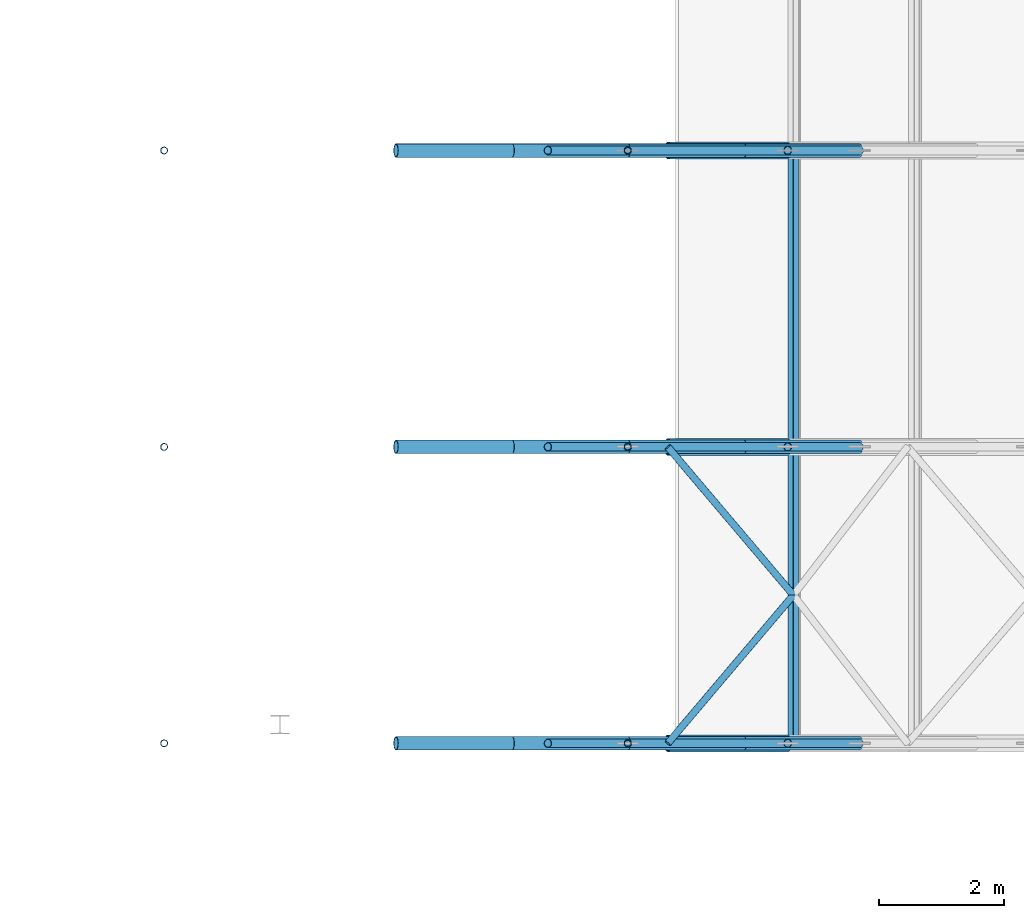
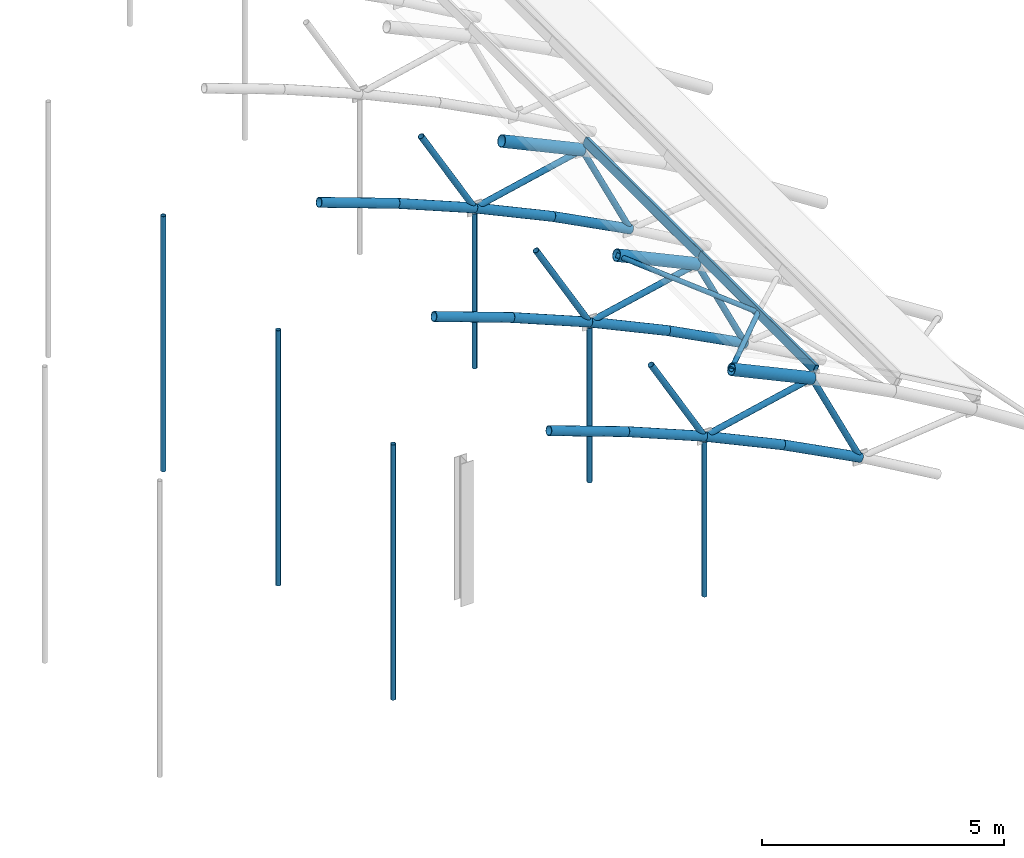
# One storey, part 15 of 50: 34 members.
"""IFC4 building model written with IfcOpenShell, lengths in metres."""

from ifc_helpers import new_model, si_unit, direction, frame, origin, origin_2d, place, context, subcontext, project, spatial, hollow_rectangle, hollow_circle, extrude, material, material_profile, profile_set, type_object, element, save


model = new_model("IFC4")

# Units and contexts
model_context = context("Model", 3, precision=1e-05, world=origin(), true_north=direction((0.0, 1.0)))
body_context = subcontext(model_context, "Body", "Model", "MODEL_VIEW")
ifc_project = project(units=[si_unit("LENGTHUNIT", "METRE"), si_unit("AREAUNIT", "SQUARE_METRE"), si_unit("VOLUMEUNIT", "CUBIC_METRE"), si_unit("PLANEANGLEUNIT", "RADIAN"), si_unit("MASSUNIT", "GRAM", prefix="KILO")], contexts=[model_context])

# Site, building, storey
site_placement = place(None, origin())
site = spatial("IfcSite", under=ifc_project, at=site_placement, CompositionType="ELEMENT")
building_placement = place(site_placement, origin())
building = spatial("IfcBuilding", under=site, at=building_placement, Name="Elbe Cascade School", CompositionType="ELEMENT")
storey_placement = place(building_placement, frame((0.0, 0.0, 15.300048828125)))
storey = spatial("IfcBuildingStorey", under=building, at=storey_placement, Name="L04", CompositionType="ELEMENT", Elevation=15.300048828125)

# Members
ifc_material_1 = material(Name="Steel S355J2H", Category="steel")
ifc_material_profile_1 = material_profile(ifc_material_1, hollow_circle(Radius=0.109619140625, WallThickness=0.012451171875, at=origin_2d()), Name="CHS 219.1x12.5")
ifc_profile_set_1 = profile_set([ifc_material_profile_1], Name="Steel S355J2H")
member_type_1 = type_object("IfcMemberType", Name="Hall rib bottom chord CHS 219.1x12.5", PredefinedType="CHORD", material=ifc_profile_set_1)
member_1_placement = place(storey_placement, frame((48.857177734375, 41.0, 3.8408203125), z_axis=(0.939919624861, 0.0, -0.341395809582), x_axis=(0.0, 1.0, 0.0)))
element("IfcMember", 1, at=member_1_placement, inside=storey, type_object=member_type_1, Name="Hall rib bottom chord CHS 219.1x12.5 M3", PredefinedType="CHORD", context=body_context, shape_type="SweptSolid", body=[
    extrude(hollow_circle(Radius=0.109619140625, WallThickness=0.012451171875, at=origin_2d()), origin(), (0.0, 0.0, 1.0), 1.975830078125),
])
member_2_placement = place(storey_placement, frame((50.71435546875, 41.0, 3.166259765625), z_axis=(0.924348085413, 0.0, -0.381550281083), x_axis=(0.0, 1.0, 0.0)))
element("IfcMember", 2, at=member_2_placement, inside=storey, type_object=member_type_1, Name="Hall rib bottom chord CHS 219.1x12.5 M3", PredefinedType="CHORD", context=body_context, shape_type="SweptSolid", body=[
    extrude(hollow_circle(Radius=0.109619140625, WallThickness=0.012451171875, at=origin_2d()), origin(), (0.0, 0.0, 1.0), 2.00927734375),
])
member_3_placement = place(storey_placement, frame((52.571533203125, 41.0, 2.399658203125), z_axis=(0.90670626979, 0.0, -0.421762658759), x_axis=(0.0, 1.0, 0.0)))
element("IfcMember", 3, at=member_3_placement, inside=storey, type_object=member_type_1, Name="Hall rib bottom chord CHS 219.1x12.5 M3", PredefinedType="CHORD", context=body_context, shape_type="SweptSolid", body=[
    extrude(hollow_circle(Radius=0.109619140625, WallThickness=0.012451171875, at=origin_2d()), origin(), (0.0, 0.0, 1.0), 2.048095703125),
])
member_4_placement = place(storey_placement, frame((54.428466796875, 41.0, 1.535888671875), z_axis=(0.886913089016, 0.0, -0.461936329523), x_axis=(0.0, 1.0, 0.0)))
element("IfcMember", 4, at=member_4_placement, inside=storey, type_object=member_type_1, Name="Hall rib bottom chord CHS 219.1x12.5 M3", PredefinedType="CHORD", context=body_context, shape_type="SweptSolid", body=[
    extrude(hollow_circle(Radius=0.109619140625, WallThickness=0.012451171875, at=origin_2d()), origin(), (0.0, 0.0, 1.0), 2.093994140625),
])
member_5_placement = place(storey_placement, frame((48.857177734375, 45.75, 3.8408203125), z_axis=(0.939919624861, 0.0, -0.341395809582), x_axis=(0.0, 1.0, 0.0)))
element("IfcMember", 5, at=member_5_placement, inside=storey, type_object=member_type_1, Name="Hall rib bottom chord CHS 219.1x12.5 M3", PredefinedType="CHORD", context=body_context, shape_type="SweptSolid", body=[
    extrude(hollow_circle(Radius=0.109619140625, WallThickness=0.012451171875, at=origin_2d()), origin(), (0.0, 0.0, 1.0), 1.975830078125),
])
member_6_placement = place(storey_placement, frame((50.71435546875, 45.75, 3.166259765625), z_axis=(0.924348085413, 0.0, -0.381550281083), x_axis=(0.0, 1.0, 0.0)))
element("IfcMember", 6, at=member_6_placement, inside=storey, type_object=member_type_1, Name="Hall rib bottom chord CHS 219.1x12.5 M3", PredefinedType="CHORD", context=body_context, shape_type="SweptSolid", body=[
    extrude(hollow_circle(Radius=0.109619140625, WallThickness=0.012451171875, at=origin_2d()), origin(), (0.0, 0.0, 1.0), 2.00927734375),
])
member_7_placement = place(storey_placement, frame((52.571533203125, 45.75, 2.399658203125), z_axis=(0.90670626979, 0.0, -0.421762658759), x_axis=(0.0, 1.0, 0.0)))
element("IfcMember", 7, at=member_7_placement, inside=storey, type_object=member_type_1, Name="Hall rib bottom chord CHS 219.1x12.5 M3", PredefinedType="CHORD", context=body_context, shape_type="SweptSolid", body=[
    extrude(hollow_circle(Radius=0.109619140625, WallThickness=0.012451171875, at=origin_2d()), origin(), (0.0, 0.0, 1.0), 2.048095703125),
])
member_8_placement = place(storey_placement, frame((54.428466796875, 45.75, 1.535888671875), z_axis=(0.886913089016, 0.0, -0.461936329523), x_axis=(0.0, 1.0, 0.0)))
element("IfcMember", 8, at=member_8_placement, inside=storey, type_object=member_type_1, Name="Hall rib bottom chord CHS 219.1x12.5 M3", PredefinedType="CHORD", context=body_context, shape_type="SweptSolid", body=[
    extrude(hollow_circle(Radius=0.109619140625, WallThickness=0.012451171875, at=origin_2d()), origin(), (0.0, 0.0, 1.0), 2.093994140625),
])
member_9_placement = place(storey_placement, frame((48.857177734375, 50.5, 3.8408203125), z_axis=(0.939919624861, 0.0, -0.341395809582), x_axis=(0.0, 1.0, 0.0)))
element("IfcMember", 9, at=member_9_placement, inside=storey, type_object=member_type_1, Name="Hall rib bottom chord CHS 219.1x12.5 M3", PredefinedType="CHORD", context=body_context, shape_type="SweptSolid", body=[
    extrude(hollow_circle(Radius=0.109619140625, WallThickness=0.012451171875, at=origin_2d()), origin(), (0.0, 0.0, 1.0), 1.975830078125),
])
member_10_placement = place(storey_placement, frame((50.71435546875, 50.5, 3.166259765625), z_axis=(0.924348085413, 0.0, -0.381550281083), x_axis=(0.0, 1.0, 0.0)))
element("IfcMember", 10, at=member_10_placement, inside=storey, type_object=member_type_1, Name="Hall rib bottom chord CHS 219.1x12.5 M3", PredefinedType="CHORD", context=body_context, shape_type="SweptSolid", body=[
    extrude(hollow_circle(Radius=0.109619140625, WallThickness=0.012451171875, at=origin_2d()), origin(), (0.0, 0.0, 1.0), 2.00927734375),
])
member_11_placement = place(storey_placement, frame((52.571533203125, 50.5, 2.399658203125), z_axis=(0.90670626979, 0.0, -0.421762658759), x_axis=(0.0, 1.0, 0.0)))
element("IfcMember", 11, at=member_11_placement, inside=storey, type_object=member_type_1, Name="Hall rib bottom chord CHS 219.1x12.5 M3", PredefinedType="CHORD", context=body_context, shape_type="SweptSolid", body=[
    extrude(hollow_circle(Radius=0.109619140625, WallThickness=0.012451171875, at=origin_2d()), origin(), (0.0, 0.0, 1.0), 2.048095703125),
])
member_12_placement = place(storey_placement, frame((54.428466796875, 50.5, 1.535888671875), z_axis=(0.886913089016, 0.0, -0.461936329523), x_axis=(0.0, 1.0, 0.0)))
element("IfcMember", 12, at=member_12_placement, inside=storey, type_object=member_type_1, Name="Hall rib bottom chord CHS 219.1x12.5 M3", PredefinedType="CHORD", context=body_context, shape_type="SweptSolid", body=[
    extrude(hollow_circle(Radius=0.109619140625, WallThickness=0.012451171875, at=origin_2d()), origin(), (0.0, 0.0, 1.0), 2.093994140625),
])
ifc_material_2 = material(Name="Steel S355J2H", Category="steel")
ifc_material_profile_2 = material_profile(ifc_material_2, hollow_circle(Radius=0.136474609375, WallThickness=0.012451171875, at=origin_2d()), Name="CHS 273x12.5")
ifc_profile_set_2 = profile_set([ifc_material_profile_2], Name="Steel S355J2H")
member_type_2 = type_object("IfcMemberType", Name="Hall rib top chord CHS 273x12.5", PredefinedType="CHORD", material=ifc_profile_set_2)
for number, where, z_axis, x_axis, name in (
    (13, (53.2138671875, 41.0, 3.864990234375), (0.906697546089, 0.0, -0.421781412482), (0.0, 1.0, 0.0), "Hall rib top chord CHS 273x12.5 M2"),
    (14, (53.2138671875, 45.75, 3.864990234375), (0.906697546089, 0.0, -0.421781412482), (0.0, 1.0, 0.0), "Hall rib top chord CHS 273x12.5 M2"),
    (15, (53.2138671875, 50.5, 3.864990234375), (0.906697546089, 0.0, -0.421781412482), (0.0, 1.0, 0.0), "Hall rib top chord CHS 273x12.5 M2"),
):
    element("IfcMember", number, at=place(storey_placement, frame(where, z_axis=z_axis, x_axis=x_axis)), inside=storey, type_object=member_type_2, Name=name, PredefinedType="CHORD", context=body_context, shape_type="SweptSolid", body=[
        extrude(hollow_circle(Radius=0.136474609375, WallThickness=0.012451171875, at=origin_2d()), origin(), (0.0, 0.0, 1.0), 2.119140625),
    ])
ifc_material_3 = material(Name="Steel S355J2H", Category="steel")
ifc_material_profile_3 = material_profile(ifc_material_3, hollow_circle(Radius=0.06982421875, WallThickness=0.008056640625, at=origin_2d()), Name="CHS 139.7x8")
ifc_profile_set_3 = profile_set([ifc_material_profile_3], Name="Steel S355J2H")
member_type_3 = type_object("IfcMemberType", Name="Hall rib web CHS 139.7x8", PredefinedType="BRACE", material=ifc_profile_set_3)
member_13_placement = place(storey_placement, frame((51.29248046875, 41.0, 4.657958984375), z_axis=(0.492822683539, 0.0, -0.870129761926), x_axis=(0.0, 1.0, 0.0)))
element("IfcMember", 16, at=member_13_placement, inside=storey, type_object=member_type_3, Name="Hall rib web CHS 139.7x8 M4", PredefinedType="BRACE", context=body_context, shape_type="SweptSolid", body=[
    extrude(hollow_circle(Radius=0.06982421875, WallThickness=0.008056640625, at=origin_2d()), origin(), (0.0, 0.0, 1.0), 2.595458984375),
])
member_14_placement = place(storey_placement, frame((52.571533203125, 41.0, 2.399658203125), z_axis=(0.976040308699, 0.0, 0.217589787893), x_axis=(0.0, 1.0, 0.0)))
element("IfcMember", 17, at=member_14_placement, inside=storey, type_object=member_type_3, Name="Hall rib web CHS 139.7x8 M4", PredefinedType="BRACE", context=body_context, shape_type="SweptSolid", body=[
    extrude(hollow_circle(Radius=0.06982421875, WallThickness=0.008056640625, at=origin_2d()), origin(), (0.0, 0.0, 1.0), 2.626708984375),
])
member_15_placement = place(storey_placement, frame((55.13525390625, 41.0, 2.97119140625), z_axis=(0.431860834408, 0.0, -0.901940252846), x_axis=(0.0, 1.0, 0.0)))
element("IfcMember", 18, at=member_15_placement, inside=storey, type_object=member_type_3, Name="Hall rib web CHS 139.7x8 M4", PredefinedType="BRACE", context=body_context, shape_type="SweptSolid", body=[
    extrude(hollow_circle(Radius=0.06982421875, WallThickness=0.008056640625, at=origin_2d()), origin(), (0.0, 0.0, 1.0), 2.663818359375),
])
member_16_placement = place(storey_placement, frame((51.29248046875, 45.75, 4.657958984375), z_axis=(0.492822683539, 0.0, -0.870129761926), x_axis=(0.0, 1.0, 0.0)))
element("IfcMember", 19, at=member_16_placement, inside=storey, type_object=member_type_3, Name="Hall rib web CHS 139.7x8 M4", PredefinedType="BRACE", context=body_context, shape_type="SweptSolid", body=[
    extrude(hollow_circle(Radius=0.06982421875, WallThickness=0.008056640625, at=origin_2d()), origin(), (0.0, 0.0, 1.0), 2.595458984375),
])
member_17_placement = place(storey_placement, frame((52.571533203125, 45.75, 2.399658203125), z_axis=(0.976040308699, 0.0, 0.217589787893), x_axis=(0.0, 1.0, 0.0)))
element("IfcMember", 20, at=member_17_placement, inside=storey, type_object=member_type_3, Name="Hall rib web CHS 139.7x8 M4", PredefinedType="BRACE", context=body_context, shape_type="SweptSolid", body=[
    extrude(hollow_circle(Radius=0.06982421875, WallThickness=0.008056640625, at=origin_2d()), origin(), (0.0, 0.0, 1.0), 2.626708984375),
])
member_18_placement = place(storey_placement, frame((55.13525390625, 45.75, 2.97119140625), z_axis=(0.431860834408, 0.0, -0.901940252846), x_axis=(0.0, 1.0, 0.0)))
element("IfcMember", 21, at=member_18_placement, inside=storey, type_object=member_type_3, Name="Hall rib web CHS 139.7x8 M4", PredefinedType="BRACE", context=body_context, shape_type="SweptSolid", body=[
    extrude(hollow_circle(Radius=0.06982421875, WallThickness=0.008056640625, at=origin_2d()), origin(), (0.0, 0.0, 1.0), 2.663818359375),
])
member_19_placement = place(storey_placement, frame((51.29248046875, 50.5, 4.657958984375), z_axis=(0.492822683539, 0.0, -0.870129761926), x_axis=(0.0, 1.0, 0.0)))
element("IfcMember", 22, at=member_19_placement, inside=storey, type_object=member_type_3, Name="Hall rib web CHS 139.7x8 M4", PredefinedType="BRACE", context=body_context, shape_type="SweptSolid", body=[
    extrude(hollow_circle(Radius=0.06982421875, WallThickness=0.008056640625, at=origin_2d()), origin(), (0.0, 0.0, 1.0), 2.595458984375),
])
member_20_placement = place(storey_placement, frame((52.571533203125, 50.5, 2.399658203125), z_axis=(0.976040308699, 0.0, 0.217589787893), x_axis=(0.0, 1.0, 0.0)))
element("IfcMember", 23, at=member_20_placement, inside=storey, type_object=member_type_3, Name="Hall rib web CHS 139.7x8 M4", PredefinedType="BRACE", context=body_context, shape_type="SweptSolid", body=[
    extrude(hollow_circle(Radius=0.06982421875, WallThickness=0.008056640625, at=origin_2d()), origin(), (0.0, 0.0, 1.0), 2.626708984375),
])
member_21_placement = place(storey_placement, frame((55.13525390625, 50.5, 2.97119140625), z_axis=(0.431860834408, 0.0, -0.901940252846), x_axis=(0.0, 1.0, 0.0)))
element("IfcMember", 24, at=member_21_placement, inside=storey, type_object=member_type_3, Name="Hall rib web CHS 139.7x8 M4", PredefinedType="BRACE", context=body_context, shape_type="SweptSolid", body=[
    extrude(hollow_circle(Radius=0.06982421875, WallThickness=0.008056640625, at=origin_2d()), origin(), (0.0, 0.0, 1.0), 2.663818359375),
])
ifc_material_4 = material(Name="Steel S355J2H", Category="steel")
ifc_material_profile_4 = material_profile(ifc_material_4, hollow_circle(Radius=0.05712890625, WallThickness=0.00634765625, at=origin_2d()), Name="CHS 114.3x6.3")
ifc_profile_set_4 = profile_set([ifc_material_profile_4], Name="Steel S355J2H")
member_type_4 = type_object("IfcMemberType", Name="Hall roof bracing CHS 114.3x6.3", PredefinedType="BRACE", material=ifc_profile_set_4)
for number, where, z_axis, x_axis, name in (
    (25, (55.2265625, 43.375, 3.156494140625), (-0.630399186919, -0.743877157975, 0.221909078171), (0.762898222969, -0.646518600962, 0.0), "Hall roof bracing CHS 114.3x6.3 M9"),
    (26, (55.2265625, 43.375, 3.156494140625), (-0.630399186919, 0.743877157975, 0.221909078171), (-0.762898222969, -0.646518600962, 0.0), "Hall roof bracing CHS 114.3x6.3 M9"),
):
    element("IfcMember", number, at=place(storey_placement, frame(where, z_axis=z_axis, x_axis=x_axis)), inside=storey, type_object=member_type_4, Name=name, PredefinedType="BRACE", context=body_context, shape_type="SweptSolid", body=[
        extrude(hollow_circle(Radius=0.05712890625, WallThickness=0.00634765625, at=origin_2d()), origin(), (0.0, 0.0, 1.0), 3.192626953125),
    ])
ifc_material_5 = material(Name="Steel S355J2H", Category="steel")
ifc_material_profile_5 = material_profile(ifc_material_5, hollow_rectangle(XDim=0.10009765625, YDim=0.199951171875, WallThickness=0.008056640625, InnerFilletRadius=0.008056640625, OuterFilletRadius=0.011962890625, at=origin_2d()), Name="RHS 200x100x8")
ifc_profile_set_5 = profile_set([ifc_material_profile_5], Name="Steel S355J2H")
member_type_5 = type_object("IfcMemberType", Name="Hall roof purlin RHS 200x100x8", PredefinedType="PURLIN", material=ifc_profile_set_5)
for number, where, z_axis, x_axis, name in (
    (27, (55.2265625, 41.0, 3.156494140625), (0.0, 1.0, 0.0), (-0.897163381573, 0.0, 0.441698841706), "Hall roof purlin RHS 200x100x8 M8"),
    (28, (55.2265625, 45.75, 3.156494140625), (0.0, 1.0, 0.0), (-0.897163381573, 0.0, 0.441698841706), "Hall roof purlin RHS 200x100x8 M8"),
):
    element("IfcMember", number, at=place(storey_placement, frame(where, z_axis=z_axis, x_axis=x_axis)), inside=storey, type_object=member_type_5, Name=name, PredefinedType="PURLIN", context=body_context, shape_type="SweptSolid", body=[
        extrude(hollow_rectangle(XDim=0.10009765625, YDim=0.199951171875, WallThickness=0.008056640625, InnerFilletRadius=0.008056640625, OuterFilletRadius=0.011962890625, at=origin_2d()), origin(), (0.0, 0.0, 1.0), 4.75),
    ])
ifc_material_6 = material(Name="Steel S355J2H", Category="steel")
ifc_material_profile_6 = material_profile(ifc_material_6, hollow_circle(Radius=0.05712890625, WallThickness=0.00634765625, at=origin_2d()), Name="CHS 114.3x6.3")
ifc_profile_set_6 = profile_set([ifc_material_profile_6], Name="Steel S355J2H")
member_type_6 = type_object("IfcMemberType", Name="Hall tie hanger CHS 114.3x6.3", PredefinedType="POST", material=ifc_profile_set_6)
member_22_placement = place(storey_placement, frame((45.142822265625, 41.0, -1.623779296875), z_axis=(0.0, 0.0, 1.0), x_axis=(1.0, 0.0, 0.0)))
element("IfcMember", 29, at=member_22_placement, inside=storey, type_object=member_type_6, Name="Hall tie hanger CHS 114.3x6.3 M7", PredefinedType="POST", context=body_context, shape_type="SweptSolid", body=[
    extrude(hollow_circle(Radius=0.05712890625, WallThickness=0.00634765625, at=origin_2d()), origin(), (0.0, 0.0, 1.0), 6.4404296875),
])
member_23_placement = place(storey_placement, frame((52.571533203125, 41.0, -1.623779296875), z_axis=(0.0, 0.0, 1.0), x_axis=(1.0, 0.0, 0.0)))
element("IfcMember", 30, at=member_23_placement, inside=storey, type_object=member_type_6, Name="Hall tie hanger CHS 114.3x6.3 M7", PredefinedType="POST", context=body_context, shape_type="SweptSolid", body=[
    extrude(hollow_circle(Radius=0.05712890625, WallThickness=0.00634765625, at=origin_2d()), origin(), (0.0, 0.0, 1.0), 3.90380859375),
])
member_24_placement = place(storey_placement, frame((45.142822265625, 45.75, -1.623779296875), z_axis=(0.0, 0.0, 1.0), x_axis=(1.0, 0.0, 0.0)))
element("IfcMember", 31, at=member_24_placement, inside=storey, type_object=member_type_6, Name="Hall tie hanger CHS 114.3x6.3 M7", PredefinedType="POST", context=body_context, shape_type="SweptSolid", body=[
    extrude(hollow_circle(Radius=0.05712890625, WallThickness=0.00634765625, at=origin_2d()), origin(), (0.0, 0.0, 1.0), 6.4404296875),
])
member_25_placement = place(storey_placement, frame((52.571533203125, 45.75, -1.623779296875), z_axis=(0.0, 0.0, 1.0), x_axis=(1.0, 0.0, 0.0)))
element("IfcMember", 32, at=member_25_placement, inside=storey, type_object=member_type_6, Name="Hall tie hanger CHS 114.3x6.3 M7", PredefinedType="POST", context=body_context, shape_type="SweptSolid", body=[
    extrude(hollow_circle(Radius=0.05712890625, WallThickness=0.00634765625, at=origin_2d()), origin(), (0.0, 0.0, 1.0), 3.90380859375),
])
member_26_placement = place(storey_placement, frame((45.142822265625, 50.5, -1.623779296875), z_axis=(0.0, 0.0, 1.0), x_axis=(1.0, 0.0, 0.0)))
element("IfcMember", 33, at=member_26_placement, inside=storey, type_object=member_type_6, Name="Hall tie hanger CHS 114.3x6.3 M7", PredefinedType="POST", context=body_context, shape_type="SweptSolid", body=[
    extrude(hollow_circle(Radius=0.05712890625, WallThickness=0.00634765625, at=origin_2d()), origin(), (0.0, 0.0, 1.0), 6.4404296875),
])
member_27_placement = place(storey_placement, frame((52.571533203125, 50.5, -1.623779296875), z_axis=(0.0, 0.0, 1.0), x_axis=(1.0, 0.0, 0.0)))
element("IfcMember", 34, at=member_27_placement, inside=storey, type_object=member_type_6, Name="Hall tie hanger CHS 114.3x6.3 M7", PredefinedType="POST", context=body_context, shape_type="SweptSolid", body=[
    extrude(hollow_circle(Radius=0.05712890625, WallThickness=0.00634765625, at=origin_2d()), origin(), (0.0, 0.0, 1.0), 3.90380859375),
])

save(model, "model.ifc")
